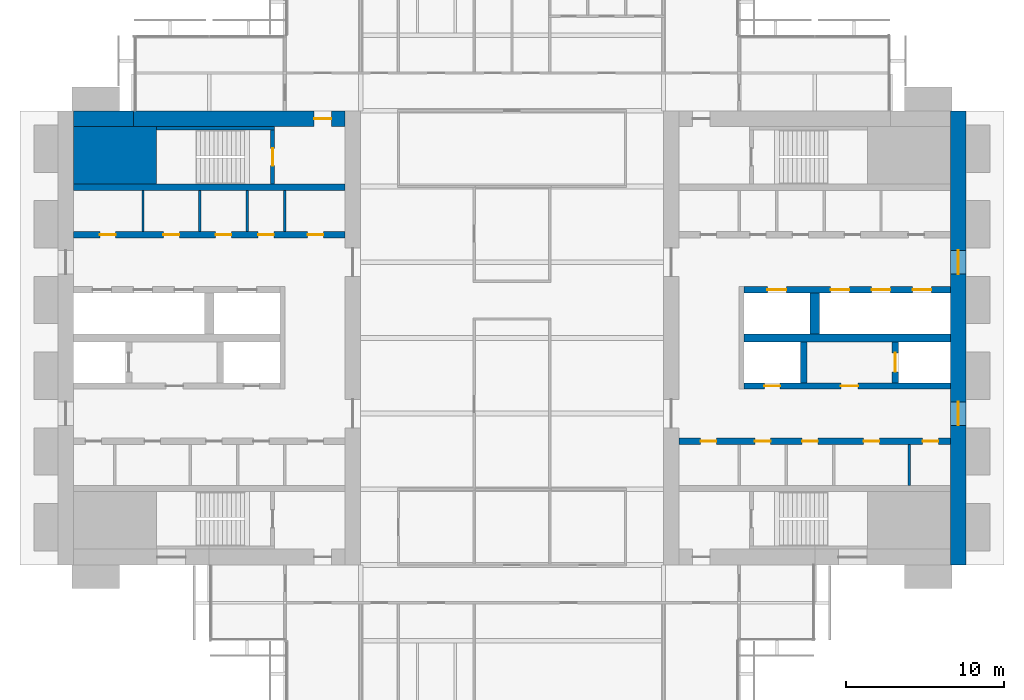
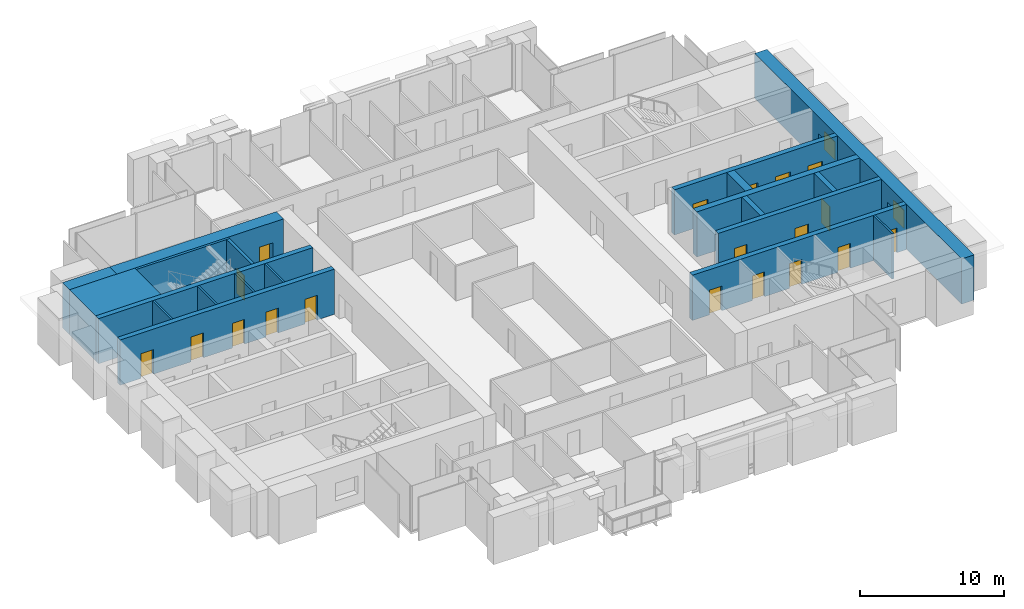
# One storey, part 11 of 15: 20 walls, 19 doors, 2 windows, 21 openings.
"""IFC4 building model written with IfcOpenShell, lengths in metres."""

from ifc_helpers import new_model, si_unit, direction, frame, frame_2d, origin, place, context, subcontext, project, spatial, rectangle, extrude, material, layer, layer_set, type_object, element, fill, save


model = new_model("IFC4")

# Units and contexts
model_context = context("Model", 3, precision=1e-05, world=origin(), true_north=direction((0.0, 1.0)))
body_context = subcontext(model_context, "Body", "Model", "MODEL_VIEW")
ifc_project = project(units=[si_unit("LENGTHUNIT", "METRE"), si_unit("AREAUNIT", "SQUARE_METRE"), si_unit("VOLUMEUNIT", "CUBIC_METRE"), si_unit("PLANEANGLEUNIT", "RADIAN"), si_unit("MASSUNIT", "GRAM", prefix="KILO")], contexts=[model_context])

# Site, building, storey
site_placement = place(None, origin())
site = spatial("IfcSite", under=ifc_project, at=site_placement, CompositionType="ELEMENT")
building_placement = place(site_placement, origin())
building = spatial("IfcBuilding", under=site, at=building_placement, Name="Baori Bourse Tower", CompositionType="ELEMENT")
storey_placement = place(building_placement, frame((0.0, 0.0, 128.10009765625)))
storey = spatial("IfcBuildingStorey", under=building, at=storey_placement, Name="L27", CompositionType="ELEMENT", Elevation=128.10009765625)

# Walls
ifc_material_1 = material(Name="Concrete f'c 60 MPa", Category="concrete")
wall_type_1 = type_object("IfcWallType", Name="Core corner block f'c 60", PredefinedType="SHEAR", material=ifc_material_1)
wall_1_placement = place(storey_placement, frame((1.0, 35.574951171875, 0.0), z_axis=(0.0, 0.0, 1.0), x_axis=(1.0, 0.0, 0.0)))
element("IfcWall", 1, at=wall_1_placement, inside=storey, type_object=wall_type_1, Name="Core wall W28", PredefinedType="SHEAR", context=body_context, shape_type="SweptSolid", body=[
    extrude(rectangle(XDim=5.25, YDim=3.64990234375, at=frame_2d((2.625, 0.0))), origin(), (0.0, 0.0, 1.0), 3.83984375),
])
ifc_material_2 = material(Name="Blockwork partition", Category="masonry")
ifc_layer_1 = layer(ifc_material_2, 0.14990234375)
ifc_layer_set_1 = layer_set([ifc_layer_1], Name="Core partition 150")
wall_type_2 = type_object("IfcWallType", Name="Core partition 150", PredefinedType="PARTITIONING", material=ifc_layer_set_1)
for number, where, z_axis, x_axis, name in (
    (2, (5.39990234375, 30.75, 0.0), (0.0, 0.0, 1.0), (0.0, 1.0, 0.0), "Partition wall W23"),
    (3, (9.0, 30.75, 0.0), (0.0, 0.0, 1.0), (0.0, 1.0, 0.0), "Partition wall W24"),
    (4, (12.0, 30.75, 0.0), (0.0, 0.0, 1.0), (0.0, 1.0, 0.0), "Partition wall W25"),
    (5, (14.39990234375, 30.75, 0.0), (0.0, 0.0, 1.0), (0.0, 1.0, 0.0), "Partition wall W26"),
    (6, (54.0, 14.64990234375, 0.0), (0.0, 0.0, 1.0), (0.0, 1.0, 0.0), "Partition wall E10"),
):
    element("IfcWall", number, at=place(storey_placement, frame(where, z_axis=z_axis, x_axis=x_axis)), inside=storey, type_object=wall_type_2, Name=name, PredefinedType="PARTITIONING", context=body_context, shape_type="SweptSolid", body=[
        extrude(rectangle(XDim=2.60009765625, YDim=0.14990234375, at=frame_2d((1.300048828125, 0.0))), origin(), (0.0, 0.0, 1.0), 3.83984375),
    ])
ifc_material_3 = material(Name="Concrete f'c 60 MPa", Category="concrete")
ifc_layer_2 = layer(ifc_material_3, 1.0)
ifc_layer_set_2 = layer_set([ifc_layer_2], Name="Core wall 1000 f'c 60")
wall_type_3 = type_object("IfcWallType", Name="Core wall 1000 f'c 60", PredefinedType="SHEAR", material=ifc_layer_set_2)
wall_2_placement = place(storey_placement, frame((1.0, 37.89990234375, 0.0), z_axis=(0.0, 0.0, 1.0), x_axis=(1.0, 0.0, 0.0)))
element("IfcWall", 7, at=wall_2_placement, inside=storey, type_object=wall_type_3, Name="Core wall W31", PredefinedType="SHEAR", context=body_context, shape_type="SweptSolid", body=[
    extrude(rectangle(XDim=3.800048828125, YDim=1.0, at=frame_2d((1.89990234375, 0.0))), origin(), (0.0, 0.0, 1.0), 3.83984375),
])

# Wall, opening, door
wall_3_placement = place(storey_placement, frame((4.800048828125, 37.89990234375, 0.0), z_axis=(0.0, 0.0, 1.0), x_axis=(1.0, 0.0, 0.0)))
wall_3 = element("IfcWall", 8, at=wall_3_placement, inside=storey, type_object=wall_type_3, Name="Core wall W32", PredefinedType="SHEAR", context=body_context, shape_type="SweptSolid", body=[
    extrude(rectangle(XDim=13.39990234375, YDim=1.0, at=frame_2d((6.699951171875, 0.0))), origin(), (0.0, 0.0, 1.0), 3.83984375),
])
opening_1_placement = place(wall_3_placement, frame((11.449951171875, 0.0, 0.0)))
opening_1 = element("IfcOpeningElement", 9, at=opening_1_placement, cuts=wall_3, Name="Opening L27-D104", PredefinedType="OPENING", context=body_context, shape_type="SweptSolid", body=[
    extrude(rectangle(XDim=1.10009765625, YDim=2.10009765625, at=frame_2d((0.550048828125, 1.050048828125))), frame((0.0, 0.510009765625, 0.0), z_axis=(0.0, -1.0, 0.0), x_axis=(1.0, 0.0, 0.0)), (0.0, 0.0, 1.0), 1.02001953125),
])
ifc_material_4 = material(Name="Painted steel door", Category="steel")
door_type_1 = type_object("IfcDoorType", Name="Stair door 1100", OperationType="SINGLE_SWING_LEFT", PredefinedType="DOOR", material=ifc_material_4)
door_1_placement = place(opening_1_placement, origin())
door_1 = element("IfcDoor", 10, at=door_1_placement, inside=storey, type_object=door_type_1, Name="Stair vestibule door B W L27", OperationType="SINGLE_SWING_LEFT", OverallHeight=2.10009765625, OverallWidth=1.10009765625, PredefinedType="DOOR", context=body_context, shape_type="SweptSolid", body=[
    extrude(rectangle(XDim=1.10009765625, YDim=2.10009765625, at=frame_2d((0.550048828125, 1.050048828125))), frame((0.0, 0.02490234375, 0.0), z_axis=(0.0, -1.0, 0.0), x_axis=(1.0, 0.0, 0.0)), (0.0, 0.0, 1.0), 0.050048828125),
])
fill(opening_1, door_1)

# Wall, openings, windows
wall_4_placement = place(storey_placement, frame((57.10009765625, 38.39990234375, 0.0), z_axis=(0.0, 0.0, 1.0), x_axis=(0.0, -1.0, 0.0)))
wall_4 = element("IfcWall", 11, at=wall_4_placement, inside=storey, type_object=wall_type_3, Name="Core wall E01", PredefinedType="SHEAR", context=body_context, shape_type="SweptSolid", body=[
    extrude(rectangle(XDim=28.7998046875, YDim=1.0, at=frame_2d((14.39990234375, 0.0))), origin(), (0.0, 0.0, 1.0), 3.83984375),
])
opening_2_placement = place(wall_4_placement, frame((18.449951171875, 0.0, 0.89990234375)))
opening_2 = element("IfcOpeningElement", 12, at=opening_2_placement, cuts=wall_4, Name="Opening L27-KW201", PredefinedType="OPENING", context=body_context, shape_type="SweptSolid", body=[
    extrude(rectangle(XDim=1.5, YDim=1.5, at=frame_2d((0.75, 0.75))), frame((0.0, 0.510009765625, 0.0), z_axis=(0.0, -1.0, 0.0), x_axis=(1.0, 0.0, 0.0)), (0.0, 0.0, 1.0), 1.02001953125),
])
opening_3_placement = place(wall_4_placement, frame((8.85009765625, 0.0, 0.89990234375)))
opening_3 = element("IfcOpeningElement", 13, at=opening_3_placement, cuts=wall_4, Name="Opening L27-KW202", PredefinedType="OPENING", context=body_context, shape_type="SweptSolid", body=[
    extrude(rectangle(XDim=1.5, YDim=1.5, at=frame_2d((0.75, 0.75))), frame((0.0, 0.510009765625, 0.0), z_axis=(0.0, -1.0, 0.0), x_axis=(1.0, 0.0, 0.0)), (0.0, 0.0, 1.0), 1.02001953125),
])
ifc_material_5 = material(Name="Pale anodised aluminium", Category="aluminium")
window_type = type_object("IfcWindowType", Name="Lobby window 1500 x 1500", PartitioningType="SINGLE_PANEL", PredefinedType="WINDOW", material=ifc_material_5)
window_1_placement = place(opening_2_placement, origin())
window_1 = element("IfcWindow", 14, at=window_1_placement, inside=storey, type_object=window_type, Name="Outer wall window E L27 1", OverallHeight=1.5, OverallWidth=1.5, PartitioningType="SINGLE_PANEL", PredefinedType="WINDOW", context=body_context, shape_type="SweptSolid", body=[
    extrude(rectangle(XDim=1.5, YDim=1.5, at=frame_2d((0.75, 0.75))), frame((0.0, 0.030029296875, 0.0), z_axis=(0.0, -1.0, 0.0), x_axis=(1.0, 0.0, 0.0)), (0.0, 0.0, 1.0), 0.06005859375),
])
fill(opening_2, window_1)
window_2_placement = place(opening_3_placement, origin())
window_2 = element("IfcWindow", 15, at=window_2_placement, inside=storey, type_object=window_type, Name="Outer wall window E L27 2", OverallHeight=1.5, OverallWidth=1.5, PartitioningType="SINGLE_PANEL", PredefinedType="WINDOW", context=body_context, shape_type="SweptSolid", body=[
    extrude(rectangle(XDim=1.5, YDim=1.5, at=frame_2d((0.75, 0.75))), frame((0.0, 0.030029296875, 0.0), z_axis=(0.0, -1.0, 0.0), x_axis=(1.0, 0.0, 0.0)), (0.0, 0.0, 1.0), 0.06005859375),
])
fill(opening_3, window_2)

# Wall
ifc_material_6 = material(Name="Concrete f'c 60 MPa", Category="concrete")
ifc_layer_3 = layer(ifc_material_6, 0.199951171875)
ifc_layer_set_3 = layer_set([ifc_layer_3], Name="Shaft wall 200 f'c 60")
wall_type_4 = type_object("IfcWallType", Name="Shaft wall 200 f'c 60", PredefinedType="SHEAR", material=ifc_layer_set_3)
wall_5_placement = place(storey_placement, frame((6.25, 37.300048828125, 0.0), z_axis=(0.0, 0.0, 1.0), x_axis=(1.0, 0.0, 0.0)))
element("IfcWall", 16, at=wall_5_placement, inside=storey, type_object=wall_type_4, Name="Core wall W30", PredefinedType="SHEAR", context=body_context, shape_type="SweptSolid", body=[
    extrude(rectangle(XDim=7.5, YDim=0.199951171875, at=frame_2d((3.75, 0.0))), origin(), (0.0, 0.0, 1.0), 3.83984375),
])

# Wall, opening, door
ifc_material_7 = material(Name="Concrete f'c 60 MPa", Category="concrete")
ifc_layer_4 = layer(ifc_material_7, 0.25)
ifc_layer_set_4 = layer_set([ifc_layer_4], Name="Shaft wall 250 f'c 60")
wall_type_5 = type_object("IfcWallType", Name="Shaft wall 250 f'c 60", PredefinedType="SHEAR", material=ifc_layer_set_4)
wall_6_placement = place(storey_placement, frame((13.625, 33.75, 0.0), z_axis=(0.0, 0.0, 1.0), x_axis=(0.0, 1.0, 0.0)))
wall_6 = element("IfcWall", 17, at=wall_6_placement, inside=storey, type_object=wall_type_5, Name="Core wall W29", PredefinedType="SHEAR", context=body_context, shape_type="SweptSolid", body=[
    extrude(rectangle(XDim=3.449951171875, YDim=0.25, at=frame_2d((1.72509765625, 0.0))), origin(), (0.0, 0.0, 1.0), 3.83984375),
])
opening_4_placement = place(wall_6_placement, frame((1.175048828125, 0.0, 0.0)))
opening_4 = element("IfcOpeningElement", 18, at=opening_4_placement, cuts=wall_6, Name="Opening L27-D103", PredefinedType="OPENING", context=body_context, shape_type="SweptSolid", body=[
    extrude(rectangle(XDim=1.10009765625, YDim=2.10009765625, at=frame_2d((0.550048828125, 1.050048828125))), frame((0.0, 0.135009765625, 0.0), z_axis=(0.0, -1.0, 0.0), x_axis=(1.0, 0.0, 0.0)), (0.0, 0.0, 1.0), 0.27001953125),
])
door_2_placement = place(opening_4_placement, origin())
door_2 = element("IfcDoor", 19, at=door_2_placement, inside=storey, type_object=door_type_1, Name="Stair door B W L27", OperationType="SINGLE_SWING_LEFT", OverallHeight=2.10009765625, OverallWidth=1.10009765625, PredefinedType="DOOR", context=body_context, shape_type="SweptSolid", body=[
    extrude(rectangle(XDim=1.10009765625, YDim=2.10009765625, at=frame_2d((0.550048828125, 1.050048828125))), frame((0.0, 0.02490234375, 0.0), z_axis=(0.0, -1.0, 0.0), x_axis=(1.0, 0.0, 0.0)), (0.0, 0.0, 1.0), 0.050048828125),
])
fill(opening_4, door_2)

# Wall, openings, doors
ifc_material_8 = material(Name="Concrete f'c 60 MPa", Category="concrete")
ifc_layer_5 = layer(ifc_material_8, 0.39990234375)
ifc_layer_set_5 = layer_set([ifc_layer_5], Name="Shaft wall 400 f'c 60")
wall_type_6 = type_object("IfcWallType", Name="Shaft wall 400 f'c 60", PredefinedType="SHEAR", material=ifc_layer_set_5)
wall_7_placement = place(storey_placement, frame((1.0, 30.550048828125, 0.0), z_axis=(0.0, 0.0, 1.0), x_axis=(1.0, 0.0, 0.0)))
wall_7 = element("IfcWall", 20, at=wall_7_placement, inside=storey, type_object=wall_type_6, Name="Core wall W22", PredefinedType="SHEAR", context=body_context, shape_type="SweptSolid", body=[
    extrude(rectangle(XDim=17.199951171875, YDim=0.39990234375, at=frame_2d((8.60009765625, 0.0))), origin(), (0.0, 0.0, 1.0), 3.83984375),
])
opening_5_placement = place(wall_7_placement, frame((1.66259765625, 0.0, 0.0)))
opening_5 = element("IfcOpeningElement", 21, at=opening_5_placement, cuts=wall_7, Name="Opening L27-D109", PredefinedType="OPENING", context=body_context, shape_type="SweptSolid", body=[
    extrude(rectangle(XDim=1.0, YDim=2.10009765625, at=frame_2d((0.5, 1.050048828125))), frame((0.0, 0.2099609375, 0.0), z_axis=(0.0, -1.0, 0.0), x_axis=(1.0, 0.0, 0.0)), (0.0, 0.0, 1.0), 0.419921875),
])
opening_6_placement = place(wall_7_placement, frame((5.699951171875, 0.0, 0.0)))
opening_6 = element("IfcOpeningElement", 22, at=opening_6_placement, cuts=wall_7, Name="Opening L27-D110", PredefinedType="OPENING", context=body_context, shape_type="SweptSolid", body=[
    extrude(rectangle(XDim=1.0, YDim=2.10009765625, at=frame_2d((0.5, 1.050048828125))), frame((0.0, 0.2099609375, 0.0), z_axis=(0.0, -1.0, 0.0), x_axis=(1.0, 0.0, 0.0)), (0.0, 0.0, 1.0), 0.419921875),
])
opening_7_placement = place(wall_7_placement, frame((9.0, 0.0, 0.0)))
opening_7 = element("IfcOpeningElement", 23, at=opening_7_placement, cuts=wall_7, Name="Opening L27-D111", PredefinedType="OPENING", context=body_context, shape_type="SweptSolid", body=[
    extrude(rectangle(XDim=1.0, YDim=2.10009765625, at=frame_2d((0.5, 1.050048828125))), frame((0.0, 0.2099609375, 0.0), z_axis=(0.0, -1.0, 0.0), x_axis=(1.0, 0.0, 0.0)), (0.0, 0.0, 1.0), 0.419921875),
])
opening_8_placement = place(wall_7_placement, frame((11.699951171875, 0.0, 0.0)))
opening_8 = element("IfcOpeningElement", 24, at=opening_8_placement, cuts=wall_7, Name="Opening L27-D112", PredefinedType="OPENING", context=body_context, shape_type="SweptSolid", body=[
    extrude(rectangle(XDim=1.0, YDim=2.10009765625, at=frame_2d((0.5, 1.050048828125))), frame((0.0, 0.2099609375, 0.0), z_axis=(0.0, -1.0, 0.0), x_axis=(1.0, 0.0, 0.0)), (0.0, 0.0, 1.0), 0.419921875),
])
opening_9_placement = place(wall_7_placement, frame((14.83740234375, 0.0, 0.0)))
opening_9 = element("IfcOpeningElement", 25, at=opening_9_placement, cuts=wall_7, Name="Opening L27-D113", PredefinedType="OPENING", context=body_context, shape_type="SweptSolid", body=[
    extrude(rectangle(XDim=1.0, YDim=2.10009765625, at=frame_2d((0.5, 1.050048828125))), frame((0.0, 0.2099609375, 0.0), z_axis=(0.0, -1.0, 0.0), x_axis=(1.0, 0.0, 0.0)), (0.0, 0.0, 1.0), 0.419921875),
])
ifc_material_9 = material(Name="Painted steel door", Category="steel")
door_type_2 = type_object("IfcDoorType", Name="Core door 1000", OperationType="SINGLE_SWING_LEFT", PredefinedType="DOOR", material=ifc_material_9)
door_3_placement = place(opening_5_placement, origin())
door_3 = element("IfcDoor", 26, at=door_3_placement, inside=storey, type_object=door_type_2, Name="Men'S Wc door W L27", OperationType="SINGLE_SWING_LEFT", OverallHeight=2.10009765625, OverallWidth=1.0, PredefinedType="DOOR", context=body_context, shape_type="SweptSolid", body=[
    extrude(rectangle(XDim=1.0, YDim=2.10009765625, at=frame_2d((0.5, 1.050048828125))), frame((0.0, 0.02490234375, 0.0), z_axis=(0.0, -1.0, 0.0), x_axis=(1.0, 0.0, 0.0)), (0.0, 0.0, 1.0), 0.050048828125),
])
fill(opening_5, door_3)
door_4_placement = place(opening_6_placement, origin())
door_4 = element("IfcDoor", 27, at=door_4_placement, inside=storey, type_object=door_type_2, Name="Women'S Wc door W L27", OperationType="SINGLE_SWING_LEFT", OverallHeight=2.10009765625, OverallWidth=1.0, PredefinedType="DOOR", context=body_context, shape_type="SweptSolid", body=[
    extrude(rectangle(XDim=1.0, YDim=2.10009765625, at=frame_2d((0.5, 1.050048828125))), frame((0.0, 0.02490234375, 0.0), z_axis=(0.0, -1.0, 0.0), x_axis=(1.0, 0.0, 0.0)), (0.0, 0.0, 1.0), 0.050048828125),
])
fill(opening_6, door_4)
door_5_placement = place(opening_9_placement, origin())
door_5 = element("IfcDoor", 28, at=door_5_placement, inside=storey, type_object=door_type_2, Name="Accessible Wc door W L27", OperationType="SINGLE_SWING_LEFT", OverallHeight=2.10009765625, OverallWidth=1.0, PredefinedType="DOOR", context=body_context, shape_type="SweptSolid", body=[
    extrude(rectangle(XDim=1.0, YDim=2.10009765625, at=frame_2d((0.5, 1.050048828125))), frame((0.0, 0.02490234375, 0.0), z_axis=(0.0, -1.0, 0.0), x_axis=(1.0, 0.0, 0.0)), (0.0, 0.0, 1.0), 0.050048828125),
])
fill(opening_9, door_5)
ifc_material_10 = material(Name="Painted steel door", Category="steel")
door_type_3 = type_object("IfcDoorType", Name="Plant room door 1000", OperationType="SINGLE_SWING_LEFT", PredefinedType="DOOR", material=ifc_material_10)
door_6_placement = place(opening_7_placement, origin())
door_6 = element("IfcDoor", 29, at=door_6_placement, inside=storey, type_object=door_type_3, Name="Communications Room door W L27", OperationType="SINGLE_SWING_LEFT", OverallHeight=2.10009765625, OverallWidth=1.0, PredefinedType="DOOR", context=body_context, shape_type="SweptSolid", body=[
    extrude(rectangle(XDim=1.0, YDim=2.10009765625, at=frame_2d((0.5, 1.050048828125))), frame((0.0, 0.02490234375, 0.0), z_axis=(0.0, -1.0, 0.0), x_axis=(1.0, 0.0, 0.0)), (0.0, 0.0, 1.0), 0.050048828125),
])
fill(opening_7, door_6)
door_7_placement = place(opening_8_placement, origin())
door_7 = element("IfcDoor", 30, at=door_7_placement, inside=storey, type_object=door_type_3, Name="Plumbing Equipment Room door W L27", OperationType="SINGLE_SWING_LEFT", OverallHeight=2.10009765625, OverallWidth=1.0, PredefinedType="DOOR", context=body_context, shape_type="SweptSolid", body=[
    extrude(rectangle(XDim=1.0, YDim=2.10009765625, at=frame_2d((0.5, 1.050048828125))), frame((0.0, 0.02490234375, 0.0), z_axis=(0.0, -1.0, 0.0), x_axis=(1.0, 0.0, 0.0)), (0.0, 0.0, 1.0), 0.050048828125),
])
fill(opening_8, door_7)

# Wall
wall_8_placement = place(storey_placement, frame((1.0, 33.550048828125, 0.0), z_axis=(0.0, 0.0, 1.0), x_axis=(1.0, 0.0, 0.0)))
element("IfcWall", 31, at=wall_8_placement, inside=storey, type_object=wall_type_6, Name="Core wall W27", PredefinedType="SHEAR", context=body_context, shape_type="SweptSolid", body=[
    extrude(rectangle(XDim=17.199951171875, YDim=0.39990234375, at=frame_2d((8.60009765625, 0.0))), origin(), (0.0, 0.0, 1.0), 3.83984375),
])

# Wall, openings, doors
wall_9_placement = place(storey_placement, frame((39.39990234375, 17.449951171875, 0.0), z_axis=(0.0, 0.0, 1.0), x_axis=(1.0, 0.0, 0.0)))
wall_9 = element("IfcWall", 32, at=wall_9_placement, inside=storey, type_object=wall_type_6, Name="Core wall E14", PredefinedType="SHEAR", context=body_context, shape_type="SweptSolid", body=[
    extrude(rectangle(XDim=17.2001953125, YDim=0.39990234375, at=frame_2d((8.60009765625, 0.0))), origin(), (0.0, 0.0, 1.0), 3.83984375),
])
opening_10_placement = place(wall_9_placement, frame((15.4375, 0.0, 0.0)))
opening_10 = element("IfcOpeningElement", 33, at=opening_10_placement, cuts=wall_9, Name="Opening L27-D214", PredefinedType="OPENING", context=body_context, shape_type="SweptSolid", body=[
    extrude(rectangle(XDim=1.0, YDim=2.10009765625, at=frame_2d((0.5, 1.050048828125))), frame((0.0, 0.2099609375, 0.0), z_axis=(0.0, -1.0, 0.0), x_axis=(1.0, 0.0, 0.0)), (0.0, 0.0, 1.0), 0.419921875),
])
opening_11_placement = place(wall_9_placement, frame((11.699951171875, 0.0, 0.0)))
opening_11 = element("IfcOpeningElement", 34, at=opening_11_placement, cuts=wall_9, Name="Opening L27-D215", PredefinedType="OPENING", context=body_context, shape_type="SweptSolid", body=[
    extrude(rectangle(XDim=1.0, YDim=2.10009765625, at=frame_2d((0.5, 1.050048828125))), frame((0.0, 0.2099609375, 0.0), z_axis=(0.0, -1.0, 0.0), x_axis=(1.0, 0.0, 0.0)), (0.0, 0.0, 1.0), 0.419921875),
])
opening_12_placement = place(wall_9_placement, frame((7.800048828125, 0.0, 0.0)))
opening_12 = element("IfcOpeningElement", 35, at=opening_12_placement, cuts=wall_9, Name="Opening L27-D216", PredefinedType="OPENING", context=body_context, shape_type="SweptSolid", body=[
    extrude(rectangle(XDim=1.0, YDim=2.10009765625, at=frame_2d((0.5, 1.050048828125))), frame((0.0, 0.2099609375, 0.0), z_axis=(0.0, -1.0, 0.0), x_axis=(1.0, 0.0, 0.0)), (0.0, 0.0, 1.0), 0.419921875),
])
opening_13_placement = place(wall_9_placement, frame((4.800048828125, 0.0, 0.0)))
opening_13 = element("IfcOpeningElement", 36, at=opening_13_placement, cuts=wall_9, Name="Opening L27-D217", PredefinedType="OPENING", context=body_context, shape_type="SweptSolid", body=[
    extrude(rectangle(XDim=1.0, YDim=2.10009765625, at=frame_2d((0.5, 1.050048828125))), frame((0.0, 0.2099609375, 0.0), z_axis=(0.0, -1.0, 0.0), x_axis=(1.0, 0.0, 0.0)), (0.0, 0.0, 1.0), 0.419921875),
])
opening_14_placement = place(wall_9_placement, frame((1.362548828125, 0.0, 0.0)))
opening_14 = element("IfcOpeningElement", 37, at=opening_14_placement, cuts=wall_9, Name="Opening L27-D218", PredefinedType="OPENING", context=body_context, shape_type="SweptSolid", body=[
    extrude(rectangle(XDim=1.0, YDim=2.10009765625, at=frame_2d((0.5, 1.050048828125))), frame((0.0, 0.2099609375, 0.0), z_axis=(0.0, -1.0, 0.0), x_axis=(1.0, 0.0, 0.0)), (0.0, 0.0, 1.0), 0.419921875),
])
door_8_placement = place(opening_11_placement, origin())
door_8 = element("IfcDoor", 38, at=door_8_placement, inside=storey, type_object=door_type_2, Name="Men'S Wc door E L27", OperationType="SINGLE_SWING_LEFT", OverallHeight=2.10009765625, OverallWidth=1.0, PredefinedType="DOOR", context=body_context, shape_type="SweptSolid", body=[
    extrude(rectangle(XDim=1.0, YDim=2.10009765625, at=frame_2d((0.5, 1.050048828125))), frame((0.0, 0.02490234375, 0.0), z_axis=(0.0, -1.0, 0.0), x_axis=(1.0, 0.0, 0.0)), (0.0, 0.0, 1.0), 0.050048828125),
])
fill(opening_11, door_8)
door_9_placement = place(opening_12_placement, origin())
door_9 = element("IfcDoor", 39, at=door_9_placement, inside=storey, type_object=door_type_2, Name="Accessible Wc door E L27", OperationType="SINGLE_SWING_LEFT", OverallHeight=2.10009765625, OverallWidth=1.0, PredefinedType="DOOR", context=body_context, shape_type="SweptSolid", body=[
    extrude(rectangle(XDim=1.0, YDim=2.10009765625, at=frame_2d((0.5, 1.050048828125))), frame((0.0, 0.02490234375, 0.0), z_axis=(0.0, -1.0, 0.0), x_axis=(1.0, 0.0, 0.0)), (0.0, 0.0, 1.0), 0.050048828125),
])
fill(opening_12, door_9)
door_10_placement = place(opening_14_placement, origin())
door_10 = element("IfcDoor", 40, at=door_10_placement, inside=storey, type_object=door_type_2, Name="Women'S Wc door E L27", OperationType="SINGLE_SWING_LEFT", OverallHeight=2.10009765625, OverallWidth=1.0, PredefinedType="DOOR", context=body_context, shape_type="SweptSolid", body=[
    extrude(rectangle(XDim=1.0, YDim=2.10009765625, at=frame_2d((0.5, 1.050048828125))), frame((0.0, 0.02490234375, 0.0), z_axis=(0.0, -1.0, 0.0), x_axis=(1.0, 0.0, 0.0)), (0.0, 0.0, 1.0), 0.050048828125),
])
fill(opening_14, door_10)
door_11_placement = place(opening_10_placement, origin())
door_11 = element("IfcDoor", 41, at=door_11_placement, inside=storey, type_object=door_type_3, Name="Communications Room door E L27", OperationType="SINGLE_SWING_LEFT", OverallHeight=2.10009765625, OverallWidth=1.0, PredefinedType="DOOR", context=body_context, shape_type="SweptSolid", body=[
    extrude(rectangle(XDim=1.0, YDim=2.10009765625, at=frame_2d((0.5, 1.050048828125))), frame((0.0, 0.02490234375, 0.0), z_axis=(0.0, -1.0, 0.0), x_axis=(1.0, 0.0, 0.0)), (0.0, 0.0, 1.0), 0.050048828125),
])
fill(opening_10, door_11)
door_12_placement = place(opening_13_placement, origin())
door_12 = element("IfcDoor", 42, at=door_12_placement, inside=storey, type_object=door_type_3, Name="Communications Room door E L27", OperationType="SINGLE_SWING_LEFT", OverallHeight=2.10009765625, OverallWidth=1.0, PredefinedType="DOOR", context=body_context, shape_type="SweptSolid", body=[
    extrude(rectangle(XDim=1.0, YDim=2.10009765625, at=frame_2d((0.5, 1.050048828125))), frame((0.0, 0.02490234375, 0.0), z_axis=(0.0, -1.0, 0.0), x_axis=(1.0, 0.0, 0.0)), (0.0, 0.0, 1.0), 0.050048828125),
])
fill(opening_13, door_12)

wall_10_placement = place(storey_placement, frame((43.5, 20.949951171875, 0.0), z_axis=(0.0, 0.0, 1.0), x_axis=(1.0, 0.0, 0.0)))
wall_10 = element("IfcWall", 43, at=wall_10_placement, inside=storey, type_object=wall_type_6, Name="Core wall E15", PredefinedType="SHEAR", context=body_context, shape_type="SweptSolid", body=[
    extrude(rectangle(XDim=13.10009765625, YDim=0.39990234375, at=frame_2d((6.550048828125, 0.0))), origin(), (0.0, 0.0, 1.0), 3.83984375),
])
opening_15_placement = place(wall_10_placement, frame((6.14990234375, 0.0, 0.0)))
opening_15 = element("IfcOpeningElement", 44, at=opening_15_placement, cuts=wall_10, Name="Opening L27-D205", PredefinedType="OPENING", context=body_context, shape_type="SweptSolid", body=[
    extrude(rectangle(XDim=1.10009765625, YDim=2.10009765625, at=frame_2d((0.550048828125, 1.050048828125))), frame((0.0, 0.2099609375, 0.0), z_axis=(0.0, -1.0, 0.0), x_axis=(1.0, 0.0, 0.0)), (0.0, 0.0, 1.0), 0.419921875),
])
opening_16_placement = place(wall_10_placement, frame((1.300048828125, 0.0, 0.0)))
opening_16 = element("IfcOpeningElement", 45, at=opening_16_placement, cuts=wall_10, Name="Opening L27-D206", PredefinedType="OPENING", context=body_context, shape_type="SweptSolid", body=[
    extrude(rectangle(XDim=1.0, YDim=2.10009765625, at=frame_2d((0.5, 1.050048828125))), frame((0.0, 0.2099609375, 0.0), z_axis=(0.0, -1.0, 0.0), x_axis=(1.0, 0.0, 0.0)), (0.0, 0.0, 1.0), 0.419921875),
])
ifc_material_11 = material(Name="Painted steel door", Category="steel")
door_type_4 = type_object("IfcDoorType", Name="Lobby door 1100", OperationType="SINGLE_SWING_LEFT", PredefinedType="DOOR", material=ifc_material_11)
door_13_placement = place(opening_15_placement, origin())
door_13 = element("IfcDoor", 46, at=door_13_placement, inside=storey, type_object=door_type_4, Name="Firefighting lobby door E L27", OperationType="SINGLE_SWING_LEFT", OverallHeight=2.10009765625, OverallWidth=1.10009765625, PredefinedType="DOOR", context=body_context, shape_type="SweptSolid", body=[
    extrude(rectangle(XDim=1.10009765625, YDim=2.10009765625, at=frame_2d((0.550048828125, 1.050048828125))), frame((0.0, 0.02490234375, 0.0), z_axis=(0.0, -1.0, 0.0), x_axis=(1.0, 0.0, 0.0)), (0.0, 0.0, 1.0), 0.050048828125),
])
fill(opening_15, door_13)
ifc_material_12 = material(Name="Painted steel door", Category="steel")
door_type_5 = type_object("IfcDoorType", Name="Shaft door 1000", OperationType="SINGLE_SWING_LEFT", PredefinedType="DOOR", material=ifc_material_12)
door_14_placement = place(opening_16_placement, origin())
door_14 = element("IfcDoor", 47, at=door_14_placement, inside=storey, type_object=door_type_5, Name="Riser room door E L27", OperationType="SINGLE_SWING_LEFT", OverallHeight=2.10009765625, OverallWidth=1.0, PredefinedType="DOOR", context=body_context, shape_type="SweptSolid", body=[
    extrude(rectangle(XDim=1.0, YDim=2.10009765625, at=frame_2d((0.5, 1.050048828125))), frame((0.0, 0.02490234375, 0.0), z_axis=(0.0, -1.0, 0.0), x_axis=(1.0, 0.0, 0.0)), (0.0, 0.0, 1.0), 0.050048828125),
])
fill(opening_16, door_14)

# Wall, opening, door
wall_11_placement = place(storey_placement, frame((53.10009765625, 21.14990234375, 0.0), z_axis=(0.0, 0.0, 1.0), x_axis=(0.0, 1.0, 0.0)))
wall_11 = element("IfcWall", 48, at=wall_11_placement, inside=storey, type_object=wall_type_6, Name="Core wall E17", PredefinedType="SHEAR", context=body_context, shape_type="SweptSolid", body=[
    extrude(rectangle(XDim=2.60009765625, YDim=0.39990234375, at=frame_2d((1.300048828125, 0.0))), origin(), (0.0, 0.0, 1.0), 3.83984375),
])
opening_17_placement = place(wall_11_placement, frame((0.699951171875, 0.0, 0.0)))
opening_17 = element("IfcOpeningElement", 49, at=opening_17_placement, cuts=wall_11, Name="Opening L27-D223", PredefinedType="OPENING", context=body_context, shape_type="SweptSolid", body=[
    extrude(rectangle(XDim=1.199951171875, YDim=2.10009765625, at=frame_2d((0.60009765625, 1.050048828125))), frame((0.0, 0.2099609375, 0.0), z_axis=(0.0, -1.0, 0.0), x_axis=(1.0, 0.0, 0.0)), (0.0, 0.0, 1.0), 0.419921875),
])
ifc_material_13 = material(Name="Stainless steel door", Category="steel")
door_type_6 = type_object("IfcDoorType", Name="Lift landing door", OperationType="DOUBLE_DOOR_SLIDING", PredefinedType="DOOR", material=ifc_material_13)
door_15_placement = place(opening_17_placement, origin())
door_15 = element("IfcDoor", 50, at=door_15_placement, inside=storey, type_object=door_type_6, Name="Lift landing door FF2 E L27", OperationType="DOUBLE_DOOR_SLIDING", OverallHeight=2.10009765625, OverallWidth=1.199951171875, PredefinedType="DOOR", context=body_context, shape_type="SweptSolid", body=[
    extrude(rectangle(XDim=1.199951171875, YDim=2.10009765625, at=frame_2d((0.60009765625, 1.050048828125))), frame((0.0, 0.02490234375, 0.0), z_axis=(0.0, -1.0, 0.0), x_axis=(1.0, 0.0, 0.0)), (0.0, 0.0, 1.0), 0.050048828125),
])
fill(opening_17, door_15)

# Wall
wall_12_placement = place(storey_placement, frame((47.300048828125, 21.14990234375, 0.0), z_axis=(0.0, 0.0, 1.0), x_axis=(0.0, 1.0, 0.0)))
element("IfcWall", 51, at=wall_12_placement, inside=storey, type_object=wall_type_6, Name="Core wall E18", PredefinedType="SHEAR", context=body_context, shape_type="SweptSolid", body=[
    extrude(rectangle(XDim=2.60009765625, YDim=0.39990234375, at=frame_2d((1.300048828125, 0.0))), origin(), (0.0, 0.0, 1.0), 3.83984375),
])

# Wall, openings, doors
wall_13_placement = place(storey_placement, frame((43.5, 27.050048828125, 0.0), z_axis=(0.0, 0.0, 1.0), x_axis=(1.0, 0.0, 0.0)))
wall_13 = element("IfcWall", 52, at=wall_13_placement, inside=storey, type_object=wall_type_6, Name="Core wall E21", PredefinedType="SHEAR", context=body_context, shape_type="SweptSolid", body=[
    extrude(rectangle(XDim=13.10009765625, YDim=0.39990234375, at=frame_2d((6.550048828125, 0.0))), origin(), (0.0, 0.0, 1.0), 3.83984375),
])
opening_18_placement = place(wall_13_placement, frame((10.699951171875, 0.0, 0.0)))
opening_18 = element("IfcOpeningElement", 53, at=opening_18_placement, cuts=wall_13, Name="Opening L27-D219", PredefinedType="OPENING", context=body_context, shape_type="SweptSolid", body=[
    extrude(rectangle(XDim=1.199951171875, YDim=2.10009765625, at=frame_2d((0.60009765625, 1.050048828125))), frame((0.0, 0.2099609375, 0.0), z_axis=(0.0, -1.0, 0.0), x_axis=(1.0, 0.0, 0.0)), (0.0, 0.0, 1.0), 0.419921875),
])
opening_19_placement = place(wall_13_placement, frame((8.10009765625, 0.0, 0.0)))
opening_19 = element("IfcOpeningElement", 54, at=opening_19_placement, cuts=wall_13, Name="Opening L27-D220", PredefinedType="OPENING", context=body_context, shape_type="SweptSolid", body=[
    extrude(rectangle(XDim=1.199951171875, YDim=2.10009765625, at=frame_2d((0.60009765625, 1.050048828125))), frame((0.0, 0.2099609375, 0.0), z_axis=(0.0, -1.0, 0.0), x_axis=(1.0, 0.0, 0.0)), (0.0, 0.0, 1.0), 0.419921875),
])
opening_20_placement = place(wall_13_placement, frame((5.5, 0.0, 0.0)))
opening_20 = element("IfcOpeningElement", 55, at=opening_20_placement, cuts=wall_13, Name="Opening L27-D221", PredefinedType="OPENING", context=body_context, shape_type="SweptSolid", body=[
    extrude(rectangle(XDim=1.199951171875, YDim=2.10009765625, at=frame_2d((0.60009765625, 1.050048828125))), frame((0.0, 0.2099609375, 0.0), z_axis=(0.0, -1.0, 0.0), x_axis=(1.0, 0.0, 0.0)), (0.0, 0.0, 1.0), 0.419921875),
])
opening_21_placement = place(wall_13_placement, frame((1.5, 0.0, 0.0)))
opening_21 = element("IfcOpeningElement", 56, at=opening_21_placement, cuts=wall_13, Name="Opening L27-D222", PredefinedType="OPENING", context=body_context, shape_type="SweptSolid", body=[
    extrude(rectangle(XDim=1.199951171875, YDim=2.10009765625, at=frame_2d((0.60009765625, 1.050048828125))), frame((0.0, 0.2099609375, 0.0), z_axis=(0.0, -1.0, 0.0), x_axis=(1.0, 0.0, 0.0)), (0.0, 0.0, 1.0), 0.419921875),
])
door_16_placement = place(opening_18_placement, origin())
door_16 = element("IfcDoor", 57, at=door_16_placement, inside=storey, type_object=door_type_6, Name="Lift landing door SH1 E L27", OperationType="DOUBLE_DOOR_SLIDING", OverallHeight=2.10009765625, OverallWidth=1.199951171875, PredefinedType="DOOR", context=body_context, shape_type="SweptSolid", body=[
    extrude(rectangle(XDim=1.199951171875, YDim=2.10009765625, at=frame_2d((0.60009765625, 1.050048828125))), frame((0.0, 0.02490234375, 0.0), z_axis=(0.0, -1.0, 0.0), x_axis=(1.0, 0.0, 0.0)), (0.0, 0.0, 1.0), 0.050048828125),
])
fill(opening_18, door_16)
door_17_placement = place(opening_19_placement, origin())
door_17 = element("IfcDoor", 58, at=door_17_placement, inside=storey, type_object=door_type_6, Name="Lift landing door SH2 E L27", OperationType="DOUBLE_DOOR_SLIDING", OverallHeight=2.10009765625, OverallWidth=1.199951171875, PredefinedType="DOOR", context=body_context, shape_type="SweptSolid", body=[
    extrude(rectangle(XDim=1.199951171875, YDim=2.10009765625, at=frame_2d((0.60009765625, 1.050048828125))), frame((0.0, 0.02490234375, 0.0), z_axis=(0.0, -1.0, 0.0), x_axis=(1.0, 0.0, 0.0)), (0.0, 0.0, 1.0), 0.050048828125),
])
fill(opening_19, door_17)
door_18_placement = place(opening_20_placement, origin())
door_18 = element("IfcDoor", 59, at=door_18_placement, inside=storey, type_object=door_type_6, Name="Lift landing door SH3 E L27", OperationType="DOUBLE_DOOR_SLIDING", OverallHeight=2.10009765625, OverallWidth=1.199951171875, PredefinedType="DOOR", context=body_context, shape_type="SweptSolid", body=[
    extrude(rectangle(XDim=1.199951171875, YDim=2.10009765625, at=frame_2d((0.60009765625, 1.050048828125))), frame((0.0, 0.02490234375, 0.0), z_axis=(0.0, -1.0, 0.0), x_axis=(1.0, 0.0, 0.0)), (0.0, 0.0, 1.0), 0.050048828125),
])
fill(opening_20, door_18)
door_19_placement = place(opening_21_placement, origin())
door_19 = element("IfcDoor", 60, at=door_19_placement, inside=storey, type_object=door_type_6, Name="Lift landing door SV1 E L27", OperationType="DOUBLE_DOOR_SLIDING", OverallHeight=2.10009765625, OverallWidth=1.199951171875, PredefinedType="DOOR", context=body_context, shape_type="SweptSolid", body=[
    extrude(rectangle(XDim=1.199951171875, YDim=2.10009765625, at=frame_2d((0.60009765625, 1.050048828125))), frame((0.0, 0.02490234375, 0.0), z_axis=(0.0, -1.0, 0.0), x_axis=(1.0, 0.0, 0.0)), (0.0, 0.0, 1.0), 0.050048828125),
])
fill(opening_21, door_19)

# Walls
ifc_material_14 = material(Name="Concrete f'c 60 MPa", Category="concrete")
ifc_layer_6 = layer(ifc_material_14, 0.5)
ifc_layer_set_6 = layer_set([ifc_layer_6], Name="Shaft wall 500 f'c 60")
wall_type_7 = type_object("IfcWallType", Name="Shaft wall 500 f'c 60", PredefinedType="SHEAR", material=ifc_layer_set_6)
wall_14_placement = place(storey_placement, frame((43.5, 24.0, 0.0), z_axis=(0.0, 0.0, 1.0), x_axis=(1.0, 0.0, 0.0)))
element("IfcWall", 61, at=wall_14_placement, inside=storey, type_object=wall_type_7, Name="Core wall E19", PredefinedType="SHEAR", context=body_context, shape_type="SweptSolid", body=[
    extrude(rectangle(XDim=13.10009765625, YDim=0.5, at=frame_2d((6.550048828125, 0.0))), origin(), (0.0, 0.0, 1.0), 3.83984375),
])
ifc_material_15 = material(Name="Concrete f'c 60 MPa", Category="concrete")
ifc_layer_7 = layer(ifc_material_15, 0.60009765625)
ifc_layer_set_7 = layer_set([ifc_layer_7], Name="Shaft wall 600 f'c 60")
wall_type_8 = type_object("IfcWallType", Name="Shaft wall 600 f'c 60", PredefinedType="SHEAR", material=ifc_layer_set_7)
wall_15_placement = place(storey_placement, frame((48.0, 24.25, 0.0), z_axis=(0.0, 0.0, 1.0), x_axis=(0.0, 1.0, 0.0)))
element("IfcWall", 62, at=wall_15_placement, inside=storey, type_object=wall_type_8, Name="Core wall E20", PredefinedType="SHEAR", context=body_context, shape_type="SweptSolid", body=[
    extrude(rectangle(XDim=2.60009765625, YDim=0.60009765625, at=frame_2d((1.300048828125, 0.0))), origin(), (0.0, 0.0, 1.0), 3.83984375),
])

save(model, "model.ifc")
